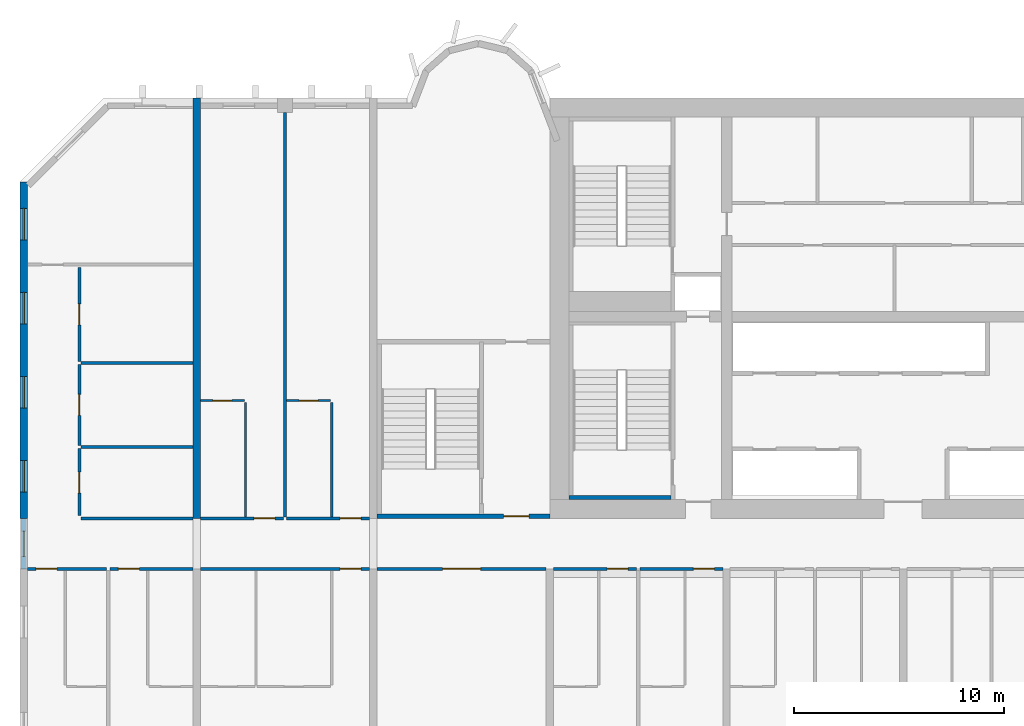
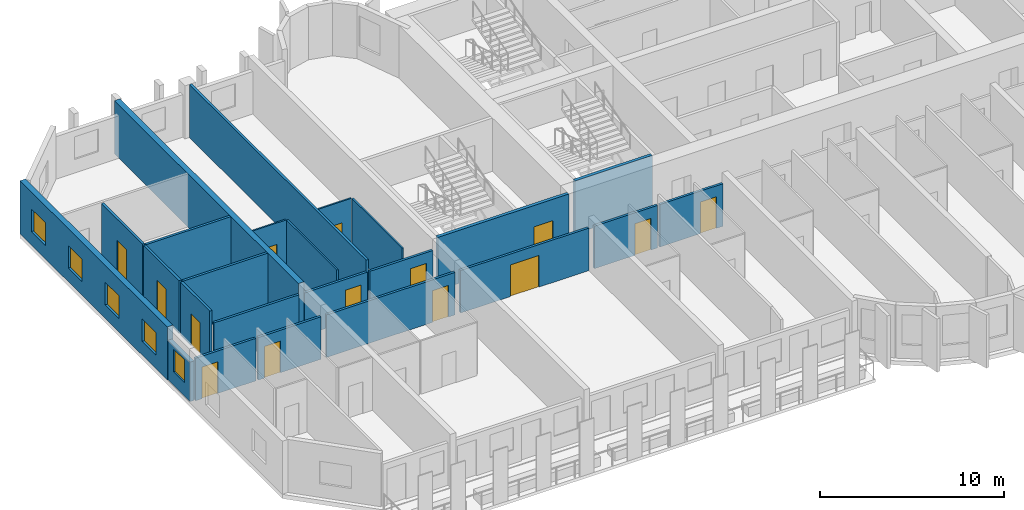
# One storey, part 3 of 14: 24 walls, 14 doors, 5 windows, 19 openings.
"""IFC4 building model written with IfcOpenShell, lengths in metres."""

from ifc_helpers import new_model, si_unit, direction, frame, frame_2d, origin, place, context, subcontext, project, spatial, rectangle, extrude, source, transform, mapped, material, layer, layer_set, type_object, element, fill, save


model = new_model("IFC4")

# Units and contexts
model_context = context("Model", 3, precision=1e-05, world=origin(), true_north=direction((0.0, 1.0)))
body_context = subcontext(model_context, "Body", "Model", "MODEL_VIEW")
ifc_project = project(units=[si_unit("LENGTHUNIT", "METRE"), si_unit("AREAUNIT", "SQUARE_METRE"), si_unit("VOLUMEUNIT", "CUBIC_METRE"), si_unit("PLANEANGLEUNIT", "RADIAN"), si_unit("MASSUNIT", "GRAM", prefix="KILO")], contexts=[model_context])

# Site, building, storey
site_placement = place(None, origin())
site = spatial("IfcSite", under=ifc_project, at=site_placement, CompositionType="ELEMENT")
building_placement = place(site_placement, origin())
building = spatial("IfcBuilding", under=site, at=building_placement, Name="Vanashikhar Sky Hotel", CompositionType="ELEMENT")
storey_placement = place(building_placement, frame((0.0, 0.0, 99.0)))
storey = spatial("IfcBuildingStorey", under=building, at=storey_placement, Name="L23", CompositionType="ELEMENT", Elevation=99.0)

# Wall, openings, windows
ifc_material_1 = material(Name="Concrete M70", Category="concrete")
ifc_layer_1 = layer(ifc_material_1, 0.35009765625)
ifc_layer_set_1 = layer_set([ifc_layer_1], Name="RC shear wall 350 Concrete M70")
wall_type_1 = type_object("IfcWallType", Name="RC shear wall 350 Concrete M70", PredefinedType="SHEAR", material=ifc_layer_set_1)
shared_shape_1 = source(origin(), body_context, "Body", "SweptSolid", [
    extrude(rectangle(XDim=16.0, YDim=0.35009765625, at=frame_2d((8.0, 0.0))), origin(), (0.0, 0.0, 1.0), 3.52001953125),
])
wall_1_placement = place(storey_placement, frame((0.175048828125, 22.0, 0.0), z_axis=(0.0, 0.0, 1.0), x_axis=(0.0, 1.0, 0.0)))
wall_1 = element("IfcWall", 1, at=wall_1_placement, inside=storey, type_object=wall_type_1, Name="CW-L23-XW01-2", PredefinedType="SHEAR", context=body_context, shape_type="MappedRepresentation", body=[
    mapped(shared_shape_1, transform((0.0, 0.0, 0.0), scale=1.0)),
])
shared_shape_2 = source(origin(), body_context, "Body", "SweptSolid", [
    extrude(rectangle(XDim=1.5, YDim=1.5, at=frame_2d((0.75, 0.75))), frame((0.0, 0.18505859375, 0.0), z_axis=(0.0, -1.0, 0.0), x_axis=(1.0, 0.0, 0.0)), (0.0, 0.0, 1.0), 0.3701171875),
])
opening_1_placement = place(wall_1_placement, frame((1.25, 0.0, 0.89990234375)))
opening_1 = element("IfcOpeningElement", 2, at=opening_1_placement, cuts=wall_1, Name="Opening WN-1", PredefinedType="OPENING", context=body_context, shape_type="MappedRepresentation", body=[
    mapped(shared_shape_2, transform((0.0, 0.0, 0.0), scale=1.0)),
])
opening_2_placement = place(wall_1_placement, frame((5.25, 0.0, 0.89990234375)))
opening_2 = element("IfcOpeningElement", 3, at=opening_2_placement, cuts=wall_1, Name="Opening WN-1", PredefinedType="OPENING", context=body_context, shape_type="MappedRepresentation", body=[
    mapped(shared_shape_2, transform((0.0, 0.0, 0.0), scale=1.0)),
])
opening_3_placement = place(wall_1_placement, frame((9.25, 0.0, 0.89990234375)))
opening_3 = element("IfcOpeningElement", 4, at=opening_3_placement, cuts=wall_1, Name="Opening WN-1", PredefinedType="OPENING", context=body_context, shape_type="MappedRepresentation", body=[
    mapped(shared_shape_2, transform((0.0, 0.0, 0.0), scale=1.0)),
])
opening_4_placement = place(wall_1_placement, frame((13.25, 0.0, 0.89990234375)))
opening_4 = element("IfcOpeningElement", 5, at=opening_4_placement, cuts=wall_1, Name="Opening WN-1", PredefinedType="OPENING", context=body_context, shape_type="MappedRepresentation", body=[
    mapped(shared_shape_2, transform((0.0, 0.0, 0.0), scale=1.0)),
])
ifc_material_2 = material(Name="Glass", Category="glass")
window_type_1 = type_object("IfcWindowType", Name="Window 1500 x 1500", PartitioningType="SINGLE_PANEL", PredefinedType="WINDOW", material=ifc_material_2)
shared_shape_3 = source(origin(), body_context, "Body", "SweptSolid", [
    extrude(rectangle(XDim=1.5, YDim=1.5, at=frame_2d((0.75, 0.75))), frame((0.0, 0.030029296875, 0.0), z_axis=(0.0, -1.0, 0.0), x_axis=(1.0, 0.0, 0.0)), (0.0, 0.0, 1.0), 0.06005859375),
])
window_1_placement = place(opening_1_placement, origin())
window_1 = element("IfcWindow", 6, at=window_1_placement, inside=storey, type_object=window_type_1, Name="Window WN-1", OverallHeight=1.5, OverallWidth=1.5, PartitioningType="SINGLE_PANEL", PredefinedType="WINDOW", context=body_context, shape_type="MappedRepresentation", body=[
    mapped(shared_shape_3, transform((0.0, 0.0, 0.0), scale=1.0)),
])
fill(opening_1, window_1)
window_2_placement = place(opening_2_placement, origin())
window_2 = element("IfcWindow", 7, at=window_2_placement, inside=storey, type_object=window_type_1, Name="Window WN-1", OverallHeight=1.5, OverallWidth=1.5, PartitioningType="SINGLE_PANEL", PredefinedType="WINDOW", context=body_context, shape_type="MappedRepresentation", body=[
    mapped(shared_shape_3, transform((0.0, 0.0, 0.0), scale=1.0)),
])
fill(opening_2, window_2)
window_3_placement = place(opening_3_placement, origin())
window_3 = element("IfcWindow", 8, at=window_3_placement, inside=storey, type_object=window_type_1, Name="Window WN-1", OverallHeight=1.5, OverallWidth=1.5, PartitioningType="SINGLE_PANEL", PredefinedType="WINDOW", context=body_context, shape_type="MappedRepresentation", body=[
    mapped(shared_shape_3, transform((0.0, 0.0, 0.0), scale=1.0)),
])
fill(opening_3, window_3)
window_4_placement = place(opening_4_placement, origin())
window_4 = element("IfcWindow", 9, at=window_4_placement, inside=storey, type_object=window_type_1, Name="Window WN-1", OverallHeight=1.5, OverallWidth=1.5, PartitioningType="SINGLE_PANEL", PredefinedType="WINDOW", context=body_context, shape_type="MappedRepresentation", body=[
    mapped(shared_shape_3, transform((0.0, 0.0, 0.0), scale=1.0)),
])
fill(opening_4, window_4)

# Wall
shared_shape_4 = source(origin(), body_context, "Body", "SweptSolid", [
    extrude(rectangle(XDim=20.0, YDim=0.35009765625, at=frame_2d((10.0, 0.0))), origin(), (0.0, 0.0, 1.0), 3.52001953125),
])
wall_2_placement = place(storey_placement, frame((8.39990234375, 22.0, 0.0), z_axis=(0.0, 0.0, 1.0), x_axis=(0.0, 1.0, 0.0)))
element("IfcWall", 10, at=wall_2_placement, inside=storey, type_object=wall_type_1, Name="CW-L23-XW02-2", PredefinedType="SHEAR", context=body_context, shape_type="MappedRepresentation", body=[
    mapped(shared_shape_4, transform((0.0, 0.0, 0.0), scale=1.0)),
])

# Wall, opening, window
ifc_material_3 = material(Name="Concrete M50", Category="concrete")
ifc_layer_2 = layer(ifc_material_3, 0.25)
ifc_layer_set_2 = layer_set([ifc_layer_2], Name="Rear and end board-marked wall 250")
wall_type_2 = type_object("IfcWallType", Name="Rear and end board-marked wall 250", PredefinedType="SOLIDWALL", material=ifc_layer_set_2)
shared_shape_5 = source(origin(), body_context, "Body", "SweptSolid", [
    extrude(rectangle(XDim=2.39990234375, YDim=0.25, at=frame_2d((1.199951171875, 0.0))), origin(), (0.0, 0.0, 1.0), 2.6201171875),
])
wall_3_placement = place(storey_placement, frame((0.175048828125, 19.60009765625, 0.0), z_axis=(0.0, 0.0, 1.0), x_axis=(0.0, 1.0, 0.0)))
wall_3 = element("IfcWall", 11, at=wall_3_placement, inside=storey, type_object=wall_type_2, Name="End corridor infill wall", PredefinedType="SOLIDWALL", context=body_context, shape_type="MappedRepresentation", body=[
    mapped(shared_shape_5, transform((0.0, 0.0, 0.0), scale=1.0)),
])
shared_shape_6 = source(origin(), body_context, "Body", "SweptSolid", [
    extrude(rectangle(XDim=1.199951171875, YDim=1.5, at=frame_2d((0.60009765625, 0.75))), frame((0.0, 0.135009765625, 0.0), z_axis=(0.0, -1.0, 0.0), x_axis=(1.0, 0.0, 0.0)), (0.0, 0.0, 1.0), 0.27001953125),
])
opening_5_placement = place(wall_3_placement, frame((0.60009765625, 0.0, 0.89990234375)))
opening_5 = element("IfcOpeningElement", 12, at=opening_5_placement, cuts=wall_3, Name="Opening WN-3", PredefinedType="OPENING", context=body_context, shape_type="MappedRepresentation", body=[
    mapped(shared_shape_6, transform((0.0, 0.0, 0.0), scale=1.0)),
])
window_type_2 = type_object("IfcWindowType", Name="Corridor end window 1200 x 1500", PartitioningType="SINGLE_PANEL", PredefinedType="WINDOW", material=ifc_material_2)
shared_shape_7 = source(origin(), body_context, "Body", "SweptSolid", [
    extrude(rectangle(XDim=1.199951171875, YDim=1.5, at=frame_2d((0.60009765625, 0.75))), frame((0.0, 0.030029296875, 0.0), z_axis=(0.0, -1.0, 0.0), x_axis=(1.0, 0.0, 0.0)), (0.0, 0.0, 1.0), 0.06005859375),
])
window_5_placement = place(opening_5_placement, origin())
window_5 = element("IfcWindow", 13, at=window_5_placement, inside=storey, type_object=window_type_2, Name="Window WN-3", OverallHeight=1.5, OverallWidth=1.199951171875, PartitioningType="SINGLE_PANEL", PredefinedType="WINDOW", context=body_context, shape_type="MappedRepresentation", body=[
    mapped(shared_shape_7, transform((0.0, 0.0, 0.0), scale=1.0)),
])
fill(opening_5, window_5)

# Wall, opening, door
ifc_layer_3 = layer(ifc_material_3, 0.199951171875)
ifc_layer_set_3 = layer_set([ifc_layer_3], Name="Stair wall 200")
wall_type_3 = type_object("IfcWallType", Name="Stair wall 200", PredefinedType="SOLIDWALL", material=ifc_layer_set_3)
shared_shape_8 = source(origin(), body_context, "Body", "SweptSolid", [
    extrude(rectangle(XDim=8.224853515625, YDim=0.199951171875, at=frame_2d((4.1123046875, 0.0))), origin(), (0.0, 0.0, 1.0), 3.52001953125),
])
wall_4_placement = place(storey_placement, frame((16.97509765625, 22.10009765625, 0.0), z_axis=(0.0, 0.0, 1.0), x_axis=(1.0, 0.0, 0.0)))
wall_4 = element("IfcWall", 14, at=wall_4_placement, inside=storey, type_object=wall_type_3, Name="Stair wall 200", PredefinedType="SOLIDWALL", context=body_context, shape_type="MappedRepresentation", body=[
    mapped(shared_shape_8, transform((0.0, 0.0, 0.0), scale=1.0)),
])
shared_shape_9 = source(origin(), body_context, "Body", "SweptSolid", [
    extrude(rectangle(XDim=1.199951171875, YDim=2.10009765625, at=frame_2d((0.60009765625, 1.050048828125))), frame((0.0, 0.10986328125, 0.0), z_axis=(0.0, -1.0, 0.0), x_axis=(1.0, 0.0, 0.0)), (0.0, 0.0, 1.0), 0.219970703125),
])
opening_6_placement = place(wall_4_placement, frame((6.02490234375, 0.0, 0.0)))
opening_6 = element("IfcOpeningElement", 15, at=opening_6_placement, cuts=wall_4, Name="Opening DC-2", PredefinedType="OPENING", context=body_context, shape_type="MappedRepresentation", body=[
    mapped(shared_shape_9, transform((0.0, 0.0, 0.0), scale=1.0)),
])
ifc_material_4 = material(Name="Steel", Category="steel")
door_type_1 = type_object("IfcDoorType", Name="Firefighting lobby door 1200 FD120", OperationType="NOTDEFINED", PredefinedType="DOOR", material=ifc_material_4)
shared_shape_10 = source(origin(), body_context, "Body", "SweptSolid", [
    extrude(rectangle(XDim=1.199951171875, YDim=2.10009765625, at=frame_2d((0.60009765625, 1.050048828125))), frame((0.0, 0.02490234375, 0.0), z_axis=(0.0, -1.0, 0.0), x_axis=(1.0, 0.0, 0.0)), (0.0, 0.0, 1.0), 0.050048828125),
])
door_1_placement = place(opening_6_placement, origin())
door_1 = element("IfcDoor", 16, at=door_1_placement, inside=storey, type_object=door_type_1, Name="Firefighting lobby door 1200 FD120", OperationType="SINGLE_SWING_LEFT", OverallHeight=2.10009765625, OverallWidth=1.199951171875, PredefinedType="DOOR", context=body_context, shape_type="MappedRepresentation", body=[
    mapped(shared_shape_10, transform((0.0, 0.0, 0.0), scale=1.0)),
])
fill(opening_6, door_1)

# Wall
ifc_layer_4 = layer(ifc_material_3, 0.199951171875)
ifc_layer_set_4 = layer_set([ifc_layer_4], Name="Stair infill wall 200")
wall_type_4 = type_object("IfcWallType", Name="Stair infill wall 200", PredefinedType="SOLIDWALL", material=ifc_layer_set_4)
shared_shape_11 = source(origin(), body_context, "Body", "SweptSolid", [
    extrude(rectangle(XDim=4.849853515625, YDim=0.199951171875, at=frame_2d((2.4248046875, 0.0))), origin(), (0.0, 0.0, 1.0), 3.52001953125),
])
wall_5_placement = place(storey_placement, frame((26.10009765625, 23.0, 0.0), z_axis=(0.0, 0.0, 1.0), x_axis=(1.0, 0.0, 0.0)))
element("IfcWall", 17, at=wall_5_placement, inside=storey, type_object=wall_type_4, Name="Stair infill wall 200", PredefinedType="SOLIDWALL", context=body_context, shape_type="MappedRepresentation", body=[
    mapped(shared_shape_11, transform((0.0, 0.0, 0.0), scale=1.0)),
])

# Wall, opening, door
ifc_material_5 = material(Name="Gypsum plasterboard partition")
ifc_layer_5 = layer(ifc_material_5, 0.14990234375)
ifc_layer_set_5 = layer_set([ifc_layer_5], Name="Corridor and demising partition 150")
wall_type_5 = type_object("IfcWallType", Name="Corridor and demising partition 150", PredefinedType="PARTITIONING", material=ifc_layer_set_5)
shared_shape_12 = source(origin(), body_context, "Body", "SweptSolid", [
    extrude(rectangle(XDim=3.175048828125, YDim=0.14990234375, at=frame_2d((1.58740234375, 0.0))), origin(), (0.0, 0.0, 1.0), 3.52001953125),
])
wall_6_placement = place(storey_placement, frame((2.824951171875, 22.14990234375, 0.0), z_axis=(0.0, 0.0, 1.0), x_axis=(0.0, 1.0, 0.0)))
wall_6 = element("IfcWall", 18, at=wall_6_placement, inside=storey, type_object=wall_type_5, Name="W-L23-PW074", PredefinedType="PARTITIONING", context=body_context, shape_type="MappedRepresentation", body=[
    mapped(shared_shape_12, transform((0.0, 0.0, 0.0), scale=1.0)),
])
shared_shape_13 = source(origin(), body_context, "Body", "SweptSolid", [
    extrude(rectangle(XDim=1.0, YDim=2.10009765625, at=frame_2d((0.5, 1.050048828125))), frame((0.0, 0.0849609375, 0.0), z_axis=(0.0, -1.0, 0.0), x_axis=(1.0, 0.0, 0.0)), (0.0, 0.0, 1.0), 0.169921875),
])
opening_7_placement = place(wall_6_placement, frame((1.050048828125, 0.0, 0.0)))
opening_7 = element("IfcOpeningElement", 19, at=opening_7_placement, cuts=wall_6, Name="Opening D-01", PredefinedType="OPENING", context=body_context, shape_type="MappedRepresentation", body=[
    mapped(shared_shape_13, transform((0.0, 0.0, 0.0), scale=1.0)),
])
ifc_material_6 = material(Name="Timber fire door", Category="wood")
door_type_2 = type_object("IfcDoorType", Name="Guest entry door 1000 FD30S", OperationType="NOTDEFINED", PredefinedType="DOOR", material=ifc_material_6)
shared_shape_14 = source(origin(), body_context, "Body", "SweptSolid", [
    extrude(rectangle(XDim=1.0, YDim=2.10009765625, at=frame_2d((0.5, 1.050048828125))), frame((0.0, 0.02490234375, 0.0), z_axis=(0.0, -1.0, 0.0), x_axis=(1.0, 0.0, 0.0)), (0.0, 0.0, 1.0), 0.050048828125),
])
door_2_placement = place(opening_7_placement, origin())
door_2 = element("IfcDoor", 20, at=door_2_placement, inside=storey, type_object=door_type_2, Name="D-L23-042", OperationType="SINGLE_SWING_LEFT", OverallHeight=2.10009765625, OverallWidth=1.0, PredefinedType="DOOR", context=body_context, shape_type="MappedRepresentation", body=[
    mapped(shared_shape_14, transform((0.0, 0.0, 0.0), scale=1.0)),
])
fill(opening_7, door_2)

shared_shape_15 = source(origin(), body_context, "Body", "SweptSolid", [
    extrude(rectangle(XDim=3.849853515625, YDim=0.14990234375, at=frame_2d((1.9248046875, 0.0))), origin(), (0.0, 0.0, 1.0), 3.52001953125),
])
wall_7_placement = place(storey_placement, frame((2.824951171875, 25.47509765625, 0.0), z_axis=(0.0, 0.0, 1.0), x_axis=(0.0, 1.0, 0.0)))
wall_7 = element("IfcWall", 21, at=wall_7_placement, inside=storey, type_object=wall_type_5, Name="W-L23-PW076", PredefinedType="PARTITIONING", context=body_context, shape_type="MappedRepresentation", body=[
    mapped(shared_shape_15, transform((0.0, 0.0, 0.0), scale=1.0)),
])
opening_8_placement = place(wall_7_placement, frame((1.425048828125, 0.0, 0.0)))
opening_8 = element("IfcOpeningElement", 22, at=opening_8_placement, cuts=wall_7, Name="Opening D-01", PredefinedType="OPENING", context=body_context, shape_type="MappedRepresentation", body=[
    mapped(shared_shape_13, transform((0.0, 0.0, 0.0), scale=1.0)),
])
door_3_placement = place(opening_8_placement, origin())
door_3 = element("IfcDoor", 23, at=door_3_placement, inside=storey, type_object=door_type_2, Name="D-L23-043", OperationType="SINGLE_SWING_LEFT", OverallHeight=2.10009765625, OverallWidth=1.0, PredefinedType="DOOR", context=body_context, shape_type="MappedRepresentation", body=[
    mapped(shared_shape_14, transform((0.0, 0.0, 0.0), scale=1.0)),
])
fill(opening_8, door_3)

shared_shape_16 = source(origin(), body_context, "Body", "SweptSolid", [
    extrude(rectangle(XDim=4.449951171875, YDim=0.14990234375, at=frame_2d((2.22509765625, 0.0))), origin(), (0.0, 0.0, 1.0), 3.52001953125),
])
wall_8_placement = place(storey_placement, frame((2.824951171875, 29.47509765625, 0.0), z_axis=(0.0, 0.0, 1.0), x_axis=(0.0, 1.0, 0.0)))
wall_8 = element("IfcWall", 24, at=wall_8_placement, inside=storey, type_object=wall_type_5, Name="W-L23-PW078", PredefinedType="PARTITIONING", context=body_context, shape_type="MappedRepresentation", body=[
    mapped(shared_shape_16, transform((0.0, 0.0, 0.0), scale=1.0)),
])
opening_9_placement = place(wall_8_placement, frame((1.72509765625, 0.0, 0.0)))
opening_9 = element("IfcOpeningElement", 25, at=opening_9_placement, cuts=wall_8, Name="Opening D-01", PredefinedType="OPENING", context=body_context, shape_type="MappedRepresentation", body=[
    mapped(shared_shape_13, transform((0.0, 0.0, 0.0), scale=1.0)),
])
door_4_placement = place(opening_9_placement, origin())
door_4 = element("IfcDoor", 26, at=door_4_placement, inside=storey, type_object=door_type_2, Name="D-L23-044", OperationType="SINGLE_SWING_LEFT", OverallHeight=2.10009765625, OverallWidth=1.0, PredefinedType="DOOR", context=body_context, shape_type="MappedRepresentation", body=[
    mapped(shared_shape_14, transform((0.0, 0.0, 0.0), scale=1.0)),
])
fill(opening_9, door_4)

# Walls
ifc_layer_6 = layer(ifc_material_5, 0.10009765625)
ifc_layer_set_6 = layer_set([ifc_layer_6], Name="Wet room partition 100")
wall_type_6 = type_object("IfcWallType", Name="Wet room partition 100", PredefinedType="PARTITIONING", material=ifc_layer_set_6)
shared_shape_17 = source(origin(), body_context, "Body", "SweptSolid", [
    extrude(rectangle(XDim=5.449951171875, YDim=0.10009765625, at=frame_2d((2.72509765625, 0.0))), origin(), (0.0, 0.0, 1.0), 3.52001953125),
])
for number, where, z_axis, x_axis, name in (
    (27, (10.72509765625, 22.074951171875, 0.0), (0.0, 0.0, 1.0), (0.0, 1.0, 0.0), "W-L23-PW080"),
    (28, (14.824951171875, 22.074951171875, 0.0), (0.0, 0.0, 1.0), (0.0, 1.0, 0.0), "W-L23-PW083"),
):
    element("IfcWall", number, at=place(storey_placement, frame(where, z_axis=z_axis, x_axis=x_axis)), inside=storey, type_object=wall_type_6, Name=name, PredefinedType="PARTITIONING", context=body_context, shape_type="MappedRepresentation", body=[
        mapped(shared_shape_17, transform((0.0, 0.0, 0.0), scale=1.0)),
    ])

# Wall, opening, door
shared_shape_18 = source(origin(), body_context, "Body", "SweptSolid", [
    extrude(rectangle(XDim=3.77490234375, YDim=0.14990234375, at=frame_2d((1.887451171875, 0.0))), origin(), (0.0, 0.0, 1.0), 2.820068359375),
])
wall_9_placement = place(storey_placement, frame((0.35009765625, 19.60009765625, 0.0), z_axis=(0.0, 0.0, 1.0), x_axis=(1.0, 0.0, 0.0)))
wall_9 = element("IfcWall", 29, at=wall_9_placement, inside=storey, type_object=wall_type_5, Name="W-L23-PW003", PredefinedType="PARTITIONING", context=body_context, shape_type="MappedRepresentation", body=[
    mapped(shared_shape_18, transform((0.0, 0.0, 0.0), scale=1.0)),
])
opening_10_placement = place(wall_9_placement, frame((0.39990234375, 0.0, 0.0)))
opening_10 = element("IfcOpeningElement", 30, at=opening_10_placement, cuts=wall_9, Name="Opening D-01", PredefinedType="OPENING", context=body_context, shape_type="MappedRepresentation", body=[
    mapped(shared_shape_13, transform((0.0, 0.0, 0.0), scale=1.0)),
])
door_5_placement = place(opening_10_placement, origin())
door_5 = element("IfcDoor", 31, at=door_5_placement, inside=storey, type_object=door_type_2, Name="D-L23-002", OperationType="SINGLE_SWING_LEFT", OverallHeight=2.10009765625, OverallWidth=1.0, PredefinedType="DOOR", context=body_context, shape_type="MappedRepresentation", body=[
    mapped(shared_shape_14, transform((0.0, 0.0, 0.0), scale=1.0)),
])
fill(opening_10, door_5)

shared_shape_19 = source(origin(), body_context, "Body", "SweptSolid", [
    extrude(rectangle(XDim=2.10009765625, YDim=0.10009765625, at=frame_2d((1.050048828125, 0.0))), origin(), (0.0, 0.0, 1.0), 3.52001953125),
])
wall_10_placement = place(storey_placement, frame((8.574951171875, 27.60009765625, 0.0), z_axis=(0.0, 0.0, 1.0), x_axis=(1.0, 0.0, 0.0)))
wall_10 = element("IfcWall", 32, at=wall_10_placement, inside=storey, type_object=wall_type_6, Name="W-L23-PW081", PredefinedType="PARTITIONING", context=body_context, shape_type="MappedRepresentation", body=[
    mapped(shared_shape_19, transform((0.0, 0.0, 0.0), scale=1.0)),
])
shared_shape_20 = source(origin(), body_context, "Body", "SweptSolid", [
    extrude(rectangle(XDim=0.89990234375, YDim=2.10009765625, at=frame_2d((0.449951171875, 1.050048828125))), frame((0.0, 0.06005859375, 0.0), z_axis=(0.0, -1.0, 0.0), x_axis=(1.0, 0.0, 0.0)), (0.0, 0.0, 1.0), 0.1201171875),
])
opening_11_placement = place(wall_10_placement, frame((0.60009765625, 0.0, 0.0)))
opening_11 = element("IfcOpeningElement", 33, at=opening_11_placement, cuts=wall_10, Name="Opening D-02", PredefinedType="OPENING", context=body_context, shape_type="MappedRepresentation", body=[
    mapped(shared_shape_20, transform((0.0, 0.0, 0.0), scale=1.0)),
])
ifc_material_7 = material(Name="Timber door", Category="wood")
door_type_3 = type_object("IfcDoorType", Name="Internal door 900", OperationType="NOTDEFINED", PredefinedType="DOOR", material=ifc_material_7)
shared_shape_21 = source(origin(), body_context, "Body", "SweptSolid", [
    extrude(rectangle(XDim=0.89990234375, YDim=2.10009765625, at=frame_2d((0.449951171875, 1.050048828125))), frame((0.0, 0.02490234375, 0.0), z_axis=(0.0, -1.0, 0.0), x_axis=(1.0, 0.0, 0.0)), (0.0, 0.0, 1.0), 0.050048828125),
])
door_6_placement = place(opening_11_placement, origin())
door_6 = element("IfcDoor", 34, at=door_6_placement, inside=storey, type_object=door_type_3, Name="D-L23-046", OperationType="SINGLE_SWING_RIGHT", OverallHeight=2.10009765625, OverallWidth=0.89990234375, PredefinedType="DOOR", context=body_context, shape_type="MappedRepresentation", body=[
    mapped(shared_shape_21, transform((0.0, 0.0, 0.0), scale=1.0)),
])
fill(opening_11, door_6)

shared_shape_22 = source(origin(), body_context, "Body", "SweptSolid", [
    extrude(rectangle(XDim=3.9501953125, YDim=0.14990234375, at=frame_2d((1.97509765625, 0.0))), origin(), (0.0, 0.0, 1.0), 2.820068359375),
])
wall_11_placement = place(storey_placement, frame((4.27490234375, 19.60009765625, 0.0), z_axis=(0.0, 0.0, 1.0), x_axis=(1.0, 0.0, 0.0)))
wall_11 = element("IfcWall", 35, at=wall_11_placement, inside=storey, type_object=wall_type_5, Name="W-L23-PW006", PredefinedType="PARTITIONING", context=body_context, shape_type="MappedRepresentation", body=[
    mapped(shared_shape_22, transform((0.0, 0.0, 0.0), scale=1.0)),
])
opening_12_placement = place(wall_11_placement, frame((0.39990234375, 0.0, 0.0)))
opening_12 = element("IfcOpeningElement", 36, at=opening_12_placement, cuts=wall_11, Name="Opening D-01", PredefinedType="OPENING", context=body_context, shape_type="MappedRepresentation", body=[
    mapped(shared_shape_13, transform((0.0, 0.0, 0.0), scale=1.0)),
])
door_7_placement = place(opening_12_placement, origin())
door_7 = element("IfcDoor", 37, at=door_7_placement, inside=storey, type_object=door_type_2, Name="D-L23-004", OperationType="SINGLE_SWING_LEFT", OverallHeight=2.10009765625, OverallWidth=1.0, PredefinedType="DOOR", context=body_context, shape_type="MappedRepresentation", body=[
    mapped(shared_shape_14, transform((0.0, 0.0, 0.0), scale=1.0)),
])
fill(opening_12, door_7)

shared_shape_23 = source(origin(), body_context, "Body", "SweptSolid", [
    extrude(rectangle(XDim=8.050048828125, YDim=0.14990234375, at=frame_2d((4.02490234375, 0.0))), origin(), (0.0, 0.0, 1.0), 2.820068359375),
])
wall_12_placement = place(storey_placement, frame((8.574951171875, 19.60009765625, 0.0), z_axis=(0.0, 0.0, 1.0), x_axis=(1.0, 0.0, 0.0)))
wall_12 = element("IfcWall", 38, at=wall_12_placement, inside=storey, type_object=wall_type_5, Name="W-L23-PW012", PredefinedType="PARTITIONING", context=body_context, shape_type="MappedRepresentation", body=[
    mapped(shared_shape_23, transform((0.0, 0.0, 0.0), scale=1.0)),
])
opening_13_placement = place(wall_12_placement, frame((6.64990234375, 0.0, 0.0)))
opening_13 = element("IfcOpeningElement", 39, at=opening_13_placement, cuts=wall_12, Name="Opening D-01", PredefinedType="OPENING", context=body_context, shape_type="MappedRepresentation", body=[
    mapped(shared_shape_13, transform((0.0, 0.0, 0.0), scale=1.0)),
])
door_8_placement = place(opening_13_placement, origin())
door_8 = element("IfcDoor", 40, at=door_8_placement, inside=storey, type_object=door_type_2, Name="D-L23-007", OperationType="SINGLE_SWING_RIGHT", OverallHeight=2.10009765625, OverallWidth=1.0, PredefinedType="DOOR", context=body_context, shape_type="MappedRepresentation", body=[
    mapped(shared_shape_14, transform((0.0, 0.0, 0.0), scale=1.0)),
])
fill(opening_13, door_8)

shared_shape_24 = source(origin(), body_context, "Body", "SweptSolid", [
    extrude(rectangle(XDim=8.0498046875, YDim=0.14990234375, at=frame_2d((4.02490234375, 0.0))), origin(), (0.0, 0.0, 1.0), 2.820068359375),
])
wall_13_placement = place(storey_placement, frame((16.97509765625, 19.60009765625, 0.0), z_axis=(0.0, 0.0, 1.0), x_axis=(1.0, 0.0, 0.0)))
wall_13 = element("IfcWall", 41, at=wall_13_placement, inside=storey, type_object=wall_type_5, Name="W-L23-PW013", PredefinedType="PARTITIONING", context=body_context, shape_type="MappedRepresentation", body=[
    mapped(shared_shape_24, transform((0.0, 0.0, 0.0), scale=1.0)),
])
shared_shape_25 = source(origin(), body_context, "Body", "SweptSolid", [
    extrude(rectangle(XDim=1.800048828125, YDim=2.10009765625, at=frame_2d((0.89990234375, 1.050048828125))), frame((0.0, 0.0849609375, 0.0), z_axis=(0.0, -1.0, 0.0), x_axis=(1.0, 0.0, 0.0)), (0.0, 0.0, 1.0), 0.169921875),
])
opening_14_placement = place(wall_13_placement, frame((3.125, 0.0, 0.0)))
opening_14 = element("IfcOpeningElement", 42, at=opening_14_placement, cuts=wall_13, Name="Opening D-03", PredefinedType="OPENING", context=body_context, shape_type="MappedRepresentation", body=[
    mapped(shared_shape_25, transform((0.0, 0.0, 0.0), scale=1.0)),
])
door_type_4 = type_object("IfcDoorType", Name="Double leaf door 1800 FD30S", OperationType="NOTDEFINED", PredefinedType="DOOR", material=ifc_material_6)
shared_shape_26 = source(origin(), body_context, "Body", "SweptSolid", [
    extrude(rectangle(XDim=1.800048828125, YDim=2.10009765625, at=frame_2d((0.89990234375, 1.050048828125))), frame((0.0, 0.02490234375, 0.0), z_axis=(0.0, -1.0, 0.0), x_axis=(1.0, 0.0, 0.0)), (0.0, 0.0, 1.0), 0.050048828125),
])
door_9_placement = place(opening_14_placement, origin())
door_9 = element("IfcDoor", 43, at=door_9_placement, inside=storey, type_object=door_type_4, Name="D-L23-008", OperationType="DOUBLE_DOOR_SINGLE_SWING", OverallHeight=2.10009765625, OverallWidth=1.800048828125, PredefinedType="DOOR", context=body_context, shape_type="MappedRepresentation", body=[
    mapped(shared_shape_26, transform((0.0, 0.0, 0.0), scale=1.0)),
])
fill(opening_14, door_9)

shared_shape_27 = source(origin(), body_context, "Body", "SweptSolid", [
    extrude(rectangle(XDim=3.949951171875, YDim=0.14990234375, at=frame_2d((1.97509765625, 0.0))), origin(), (0.0, 0.0, 1.0), 2.820068359375),
])
wall_14_placement = place(storey_placement, frame((25.375, 19.60009765625, 0.0), z_axis=(0.0, 0.0, 1.0), x_axis=(1.0, 0.0, 0.0)))
wall_14 = element("IfcWall", 44, at=wall_14_placement, inside=storey, type_object=wall_type_5, Name="W-L23-PW016", PredefinedType="PARTITIONING", context=body_context, shape_type="MappedRepresentation", body=[
    mapped(shared_shape_27, transform((0.0, 0.0, 0.0), scale=1.0)),
])
opening_15_placement = place(wall_14_placement, frame((2.550048828125, 0.0, 0.0)))
opening_15 = element("IfcOpeningElement", 45, at=opening_15_placement, cuts=wall_14, Name="Opening D-01", PredefinedType="OPENING", context=body_context, shape_type="MappedRepresentation", body=[
    mapped(shared_shape_13, transform((0.0, 0.0, 0.0), scale=1.0)),
])
door_10_placement = place(opening_15_placement, origin())
door_10 = element("IfcDoor", 46, at=door_10_placement, inside=storey, type_object=door_type_2, Name="D-L23-010", OperationType="SINGLE_SWING_RIGHT", OverallHeight=2.10009765625, OverallWidth=1.0, PredefinedType="DOOR", context=body_context, shape_type="MappedRepresentation", body=[
    mapped(shared_shape_14, transform((0.0, 0.0, 0.0), scale=1.0)),
])
fill(opening_15, door_10)

wall_15_placement = place(storey_placement, frame((29.47509765625, 19.60009765625, 0.0), z_axis=(0.0, 0.0, 1.0), x_axis=(1.0, 0.0, 0.0)))
wall_15 = element("IfcWall", 47, at=wall_15_placement, inside=storey, type_object=wall_type_5, Name="W-L23-PW019", PredefinedType="PARTITIONING", context=body_context, shape_type="MappedRepresentation", body=[
    mapped(shared_shape_27, transform((0.0, 0.0, 0.0), scale=1.0)),
])
opening_16_placement = place(wall_15_placement, frame((2.550048828125, 0.0, 0.0)))
opening_16 = element("IfcOpeningElement", 48, at=opening_16_placement, cuts=wall_15, Name="Opening D-01", PredefinedType="OPENING", context=body_context, shape_type="MappedRepresentation", body=[
    mapped(shared_shape_13, transform((0.0, 0.0, 0.0), scale=1.0)),
])
door_11_placement = place(opening_16_placement, origin())
door_11 = element("IfcDoor", 49, at=door_11_placement, inside=storey, type_object=door_type_2, Name="D-L23-012", OperationType="SINGLE_SWING_RIGHT", OverallHeight=2.10009765625, OverallWidth=1.0, PredefinedType="DOOR", context=body_context, shape_type="MappedRepresentation", body=[
    mapped(shared_shape_14, transform((0.0, 0.0, 0.0), scale=1.0)),
])
fill(opening_16, door_11)

wall_16_placement = place(storey_placement, frame((8.574951171875, 22.0, 0.0), z_axis=(0.0, 0.0, 1.0), x_axis=(1.0, 0.0, 0.0)))
wall_16 = element("IfcWall", 50, at=wall_16_placement, inside=storey, type_object=wall_type_5, Name="W-L23-PW082", PredefinedType="PARTITIONING", context=body_context, shape_type="MappedRepresentation", body=[
    mapped(shared_shape_27, transform((0.0, 0.0, 0.0), scale=1.0)),
])
opening_17_placement = place(wall_16_placement, frame((2.550048828125, 0.0, 0.0)))
opening_17 = element("IfcOpeningElement", 51, at=opening_17_placement, cuts=wall_16, Name="Opening D-01", PredefinedType="OPENING", context=body_context, shape_type="MappedRepresentation", body=[
    mapped(shared_shape_13, transform((0.0, 0.0, 0.0), scale=1.0)),
])
door_12_placement = place(opening_17_placement, origin())
door_12 = element("IfcDoor", 52, at=door_12_placement, inside=storey, type_object=door_type_2, Name="D-L23-047", OperationType="SINGLE_SWING_RIGHT", OverallHeight=2.10009765625, OverallWidth=1.0, PredefinedType="DOOR", context=body_context, shape_type="MappedRepresentation", body=[
    mapped(shared_shape_14, transform((0.0, 0.0, 0.0), scale=1.0)),
])
fill(opening_17, door_12)

wall_17_placement = place(storey_placement, frame((12.675048828125, 22.0, 0.0), z_axis=(0.0, 0.0, 1.0), x_axis=(1.0, 0.0, 0.0)))
wall_17 = element("IfcWall", 53, at=wall_17_placement, inside=storey, type_object=wall_type_5, Name="W-L23-PW085", PredefinedType="PARTITIONING", context=body_context, shape_type="MappedRepresentation", body=[
    mapped(shared_shape_27, transform((0.0, 0.0, 0.0), scale=1.0)),
])
opening_18_placement = place(wall_17_placement, frame((2.550048828125, 0.0, 0.0)))
opening_18 = element("IfcOpeningElement", 54, at=opening_18_placement, cuts=wall_17, Name="Opening D-01", PredefinedType="OPENING", context=body_context, shape_type="MappedRepresentation", body=[
    mapped(shared_shape_13, transform((0.0, 0.0, 0.0), scale=1.0)),
])
door_13_placement = place(opening_18_placement, origin())
door_13 = element("IfcDoor", 55, at=door_13_placement, inside=storey, type_object=door_type_2, Name="D-L23-049", OperationType="SINGLE_SWING_RIGHT", OverallHeight=2.10009765625, OverallWidth=1.0, PredefinedType="DOOR", context=body_context, shape_type="MappedRepresentation", body=[
    mapped(shared_shape_14, transform((0.0, 0.0, 0.0), scale=1.0)),
])
fill(opening_18, door_13)

shared_shape_28 = source(origin(), body_context, "Body", "SweptSolid", [
    extrude(rectangle(XDim=2.099853515625, YDim=0.10009765625, at=frame_2d((1.0498046875, 0.0))), origin(), (0.0, 0.0, 1.0), 3.52001953125),
])
wall_18_placement = place(storey_placement, frame((12.675048828125, 27.60009765625, 0.0), z_axis=(0.0, 0.0, 1.0), x_axis=(1.0, 0.0, 0.0)))
wall_18 = element("IfcWall", 56, at=wall_18_placement, inside=storey, type_object=wall_type_6, Name="W-L23-PW084", PredefinedType="PARTITIONING", context=body_context, shape_type="MappedRepresentation", body=[
    mapped(shared_shape_28, transform((0.0, 0.0, 0.0), scale=1.0)),
])
opening_19_placement = place(wall_18_placement, frame((0.60009765625, 0.0, 0.0)))
opening_19 = element("IfcOpeningElement", 57, at=opening_19_placement, cuts=wall_18, Name="Opening D-02", PredefinedType="OPENING", context=body_context, shape_type="MappedRepresentation", body=[
    mapped(shared_shape_20, transform((0.0, 0.0, 0.0), scale=1.0)),
])
door_14_placement = place(opening_19_placement, origin())
door_14 = element("IfcDoor", 58, at=door_14_placement, inside=storey, type_object=door_type_3, Name="D-L23-048", OperationType="SINGLE_SWING_RIGHT", OverallHeight=2.10009765625, OverallWidth=0.89990234375, PredefinedType="DOOR", context=body_context, shape_type="MappedRepresentation", body=[
    mapped(shared_shape_21, transform((0.0, 0.0, 0.0), scale=1.0)),
])
fill(opening_19, door_14)

# Walls
shared_shape_29 = source(origin(), body_context, "Body", "SweptSolid", [
    extrude(rectangle(XDim=5.3251953125, YDim=0.14990234375, at=frame_2d((2.66259765625, 0.0))), origin(), (0.0, 0.0, 1.0), 2.820068359375),
])
wall_19_placement = place(storey_placement, frame((2.89990234375, 22.0, 0.0), z_axis=(0.0, 0.0, 1.0), x_axis=(1.0, 0.0, 0.0)))
element("IfcWall", 59, at=wall_19_placement, inside=storey, type_object=wall_type_5, Name="W-L23-PW073", PredefinedType="PARTITIONING", context=body_context, shape_type="MappedRepresentation", body=[
    mapped(shared_shape_29, transform((0.0, 0.0, 0.0), scale=1.0)),
])
shared_shape_30 = source(origin(), body_context, "Body", "SweptSolid", [
    extrude(rectangle(XDim=5.3251953125, YDim=0.14990234375, at=frame_2d((2.66259765625, 0.0))), origin(), (0.0, 0.0, 1.0), 3.52001953125),
])
for number, where, z_axis, x_axis, name in (
    (60, (2.89990234375, 25.39990234375, 0.0), (0.0, 0.0, 1.0), (1.0, 0.0, 0.0), "W-L23-PW075"),
    (61, (2.89990234375, 29.39990234375, 0.0), (0.0, 0.0, 1.0), (1.0, 0.0, 0.0), "W-L23-PW077"),
):
    element("IfcWall", number, at=place(storey_placement, frame(where, z_axis=z_axis, x_axis=x_axis)), inside=storey, type_object=wall_type_5, Name=name, PredefinedType="PARTITIONING", context=body_context, shape_type="MappedRepresentation", body=[
        mapped(shared_shape_30, transform((0.0, 0.0, 0.0), scale=1.0)),
    ])
shared_shape_31 = source(origin(), body_context, "Body", "SweptSolid", [
    extrude(rectangle(XDim=19.22509765625, YDim=0.14990234375, at=frame_2d((9.612548828125, 0.0))), origin(), (0.0, 0.0, 1.0), 3.52001953125),
])
wall_20_placement = place(storey_placement, frame((12.60009765625, 22.074951171875, 0.0), z_axis=(0.0, 0.0, 1.0), x_axis=(0.0, 1.0, 0.0)))
element("IfcWall", 62, at=wall_20_placement, inside=storey, type_object=wall_type_5, Name="W-L23-PW086", PredefinedType="PARTITIONING", context=body_context, shape_type="MappedRepresentation", body=[
    mapped(shared_shape_31, transform((0.0, 0.0, 0.0), scale=1.0)),
])

save(model, "model.ifc")
